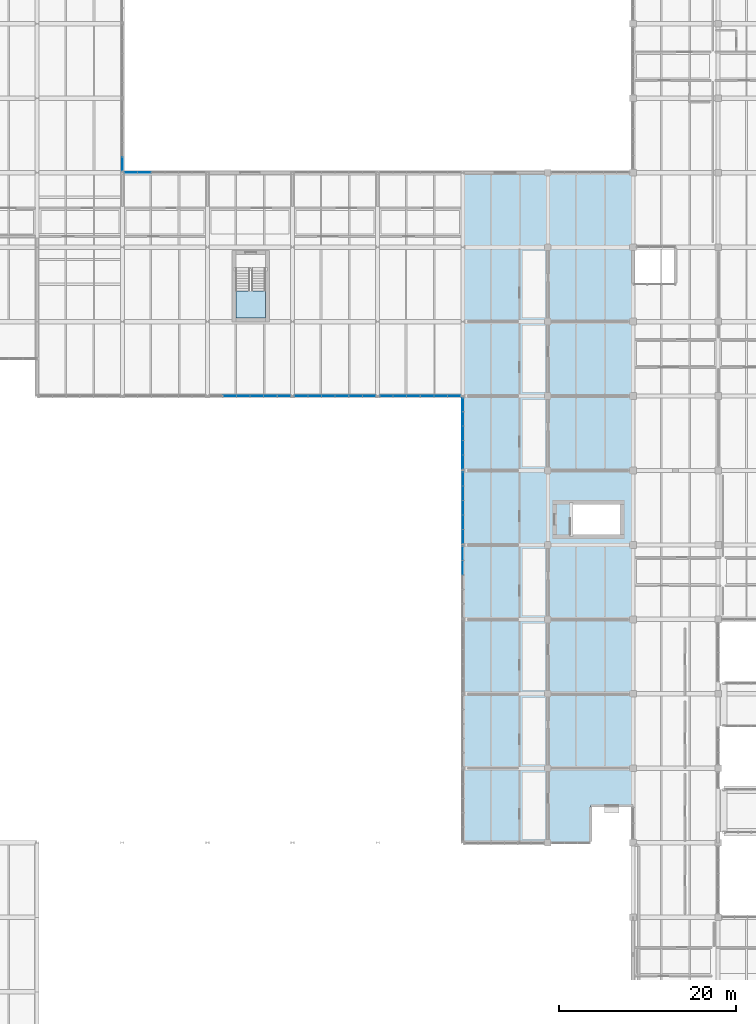
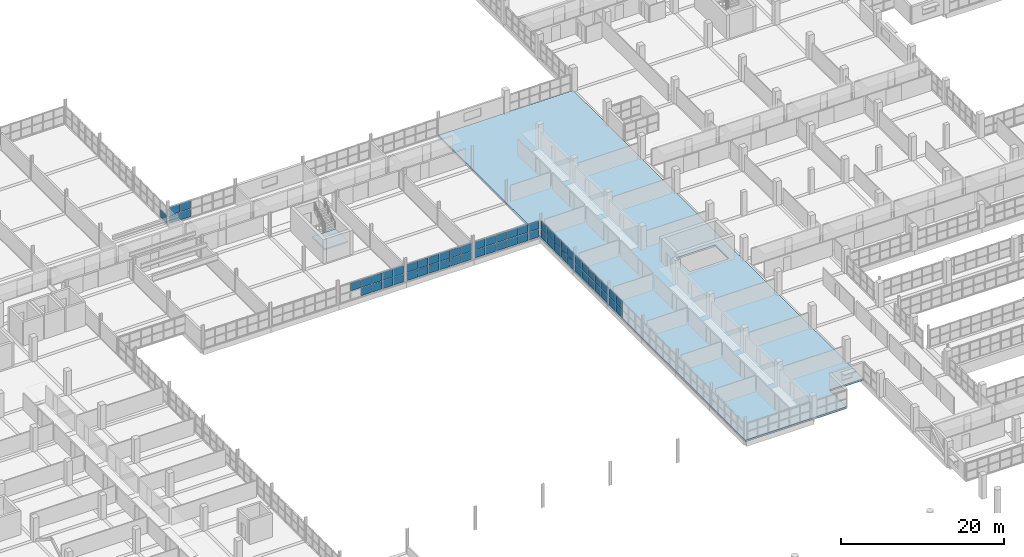
# One storey, part 96 of 147: 62 plates, 2 slabs, 9 elements without a shape of their own.
"""IFC4 building model written with IfcOpenShell, lengths in metres."""

from ifc_helpers import new_model, si_unit, direction, frame, origin, origin_2d, place, context, subcontext, project, spatial, polyline, rectangle, outline, extrude, material, layer, layer_set, type_object, element, aggregate, save


model = new_model("IFC4")

# Units and contexts
model_context = context("Model", 3, precision=1e-05, world=origin(), true_north=direction((0.0, 1.0)))
body_context = subcontext(model_context, "Body", "Model", "MODEL_VIEW")
ifc_project = project(units=[si_unit("LENGTHUNIT", "METRE"), si_unit("AREAUNIT", "SQUARE_METRE"), si_unit("VOLUMEUNIT", "CUBIC_METRE"), si_unit("PLANEANGLEUNIT", "RADIAN"), si_unit("MASSUNIT", "GRAM", prefix="KILO")], contexts=[model_context])

# Site, building, storey
site_placement = place(None, origin())
site = spatial("IfcSite", under=ifc_project, at=site_placement, CompositionType="ELEMENT")
building_placement = place(site_placement, origin())
building = spatial("IfcBuilding", under=site, at=building_placement, Name="Oolite Switchyard Hospital", CompositionType="ELEMENT")
storey_placement = place(building_placement, frame((0.0, 0.0, 9.89990234375)))
storey = spatial("IfcBuildingStorey", under=building, at=storey_placement, Name="L02", CompositionType="ELEMENT", Elevation=9.89990234375)

# Curtain wall, plates
ifc_material_1 = material(Name="Thermally broken aluminum frame with laminated impact glazing", Category="aluminium")
curtain_wall_type_1 = type_object("IfcCurtainWallType", Name="CW-UNIT-84X36", PredefinedType="USERDEFINED", material=ifc_material_1)
curtain_wall_1_placement = place(storey_placement, origin())
curtain_wall_1 = element("IfcCurtainWall", 1, at=curtain_wall_1_placement, inside=storey, type_object=curtain_wall_type_1, Name="L02 Unitised Curtain Wall 295", ObjectType="UNITISED", PredefinedType="USERDEFINED")
ifc_material_2 = material(Name="Insulated fluoropolymer-coated aluminum spandrel panel", Category="aluminium")
ifc_layer_1 = layer(ifc_material_2, 0.054931640625)
ifc_layer_set_1 = layer_set([ifc_layer_1], Name="CW-PNL-SPN55")
plate_type_1 = type_object("IfcPlateType", Name="CW-PNL-SPN55", PredefinedType="CURTAIN_PANEL", material=ifc_layer_set_1)
plate_1_placement = place(storey_placement, frame((115.199951171875, 68.168701171875, 0.0751953125), z_axis=(0.0, 0.0, 1.0), x_axis=(0.0, 1.0, 0.0)))
plate_1 = element("IfcPlate", 2, at=plate_1_placement, type_object=plate_type_1, Name="CW-08 panel 1.1", PredefinedType="CURTAIN_PANEL", context=body_context, shape_type="SweptSolid", body=[
    extrude(rectangle(XDim=1.533203125, YDim=0.054931640625, at=origin_2d()), origin(), (0.0, 0.0, 1.0), 1.172607421875),
])
plate_2_placement = place(storey_placement, frame((115.199951171875, 68.168701171875, 1.32275390625), z_axis=(0.0, 0.0, 1.0), x_axis=(0.0, 1.0, 0.0)))
plate_2 = element("IfcPlate", 3, at=plate_2_placement, type_object=plate_type_1, Name="CW-08 panel 1.2", PredefinedType="CURTAIN_PANEL", context=body_context, shape_type="SweptSolid", body=[
    extrude(rectangle(XDim=1.533203125, YDim=0.054931640625, at=origin_2d()), origin(), (0.0, 0.0, 1.0), 1.172607421875),
])
plate_3_placement = place(storey_placement, frame((115.199951171875, 69.77685546875, 0.0751953125), z_axis=(0.0, 0.0, 1.0), x_axis=(0.0, 1.0, 0.0)))
plate_3 = element("IfcPlate", 4, at=plate_3_placement, type_object=plate_type_1, Name="CW-08 panel 2.1", PredefinedType="CURTAIN_PANEL", context=body_context, shape_type="SweptSolid", body=[
    extrude(rectangle(XDim=1.563232421875, YDim=0.054931640625, at=origin_2d()), origin(), (0.0, 0.0, 1.0), 1.172607421875),
])
plate_4_placement = place(storey_placement, frame((115.199951171875, 69.77685546875, 1.32275390625), z_axis=(0.0, 0.0, 1.0), x_axis=(0.0, 1.0, 0.0)))
plate_4 = element("IfcPlate", 5, at=plate_4_placement, type_object=plate_type_1, Name="CW-08 panel 2.2", PredefinedType="CURTAIN_PANEL", context=body_context, shape_type="SweptSolid", body=[
    extrude(rectangle(XDim=1.563232421875, YDim=0.054931640625, at=origin_2d()), origin(), (0.0, 0.0, 1.0), 1.172607421875),
])
plate_5_placement = place(storey_placement, frame((115.199951171875, 71.39990234375, 0.0751953125), z_axis=(0.0, 0.0, 1.0), x_axis=(0.0, 1.0, 0.0)))
plate_5 = element("IfcPlate", 6, at=plate_5_placement, type_object=plate_type_1, Name="CW-08 panel 3.1", PredefinedType="CURTAIN_PANEL", context=body_context, shape_type="SweptSolid", body=[
    extrude(rectangle(XDim=1.563232421875, YDim=0.054931640625, at=origin_2d()), origin(), (0.0, 0.0, 1.0), 1.172607421875),
])
plate_6_placement = place(storey_placement, frame((115.199951171875, 71.39990234375, 1.32275390625), z_axis=(0.0, 0.0, 1.0), x_axis=(0.0, 1.0, 0.0)))
plate_6 = element("IfcPlate", 7, at=plate_6_placement, type_object=plate_type_1, Name="CW-08 panel 3.2", PredefinedType="CURTAIN_PANEL", context=body_context, shape_type="SweptSolid", body=[
    extrude(rectangle(XDim=1.563232421875, YDim=0.054931640625, at=origin_2d()), origin(), (0.0, 0.0, 1.0), 1.172607421875),
])
plate_7_placement = place(storey_placement, frame((115.199951171875, 73.023193359375, 0.0751953125), z_axis=(0.0, 0.0, 1.0), x_axis=(0.0, 1.0, 0.0)))
plate_7 = element("IfcPlate", 8, at=plate_7_placement, type_object=plate_type_1, Name="CW-08 panel 4.1", PredefinedType="CURTAIN_PANEL", context=body_context, shape_type="SweptSolid", body=[
    extrude(rectangle(XDim=1.563232421875, YDim=0.054931640625, at=origin_2d()), origin(), (0.0, 0.0, 1.0), 1.172607421875),
])
plate_8_placement = place(storey_placement, frame((115.199951171875, 73.023193359375, 1.32275390625), z_axis=(0.0, 0.0, 1.0), x_axis=(0.0, 1.0, 0.0)))
plate_8 = element("IfcPlate", 9, at=plate_8_placement, type_object=plate_type_1, Name="CW-08 panel 4.2", PredefinedType="CURTAIN_PANEL", context=body_context, shape_type="SweptSolid", body=[
    extrude(rectangle(XDim=1.563232421875, YDim=0.054931640625, at=origin_2d()), origin(), (0.0, 0.0, 1.0), 1.172607421875),
])
plate_9_placement = place(storey_placement, frame((115.199951171875, 74.63134765625, 0.0751953125), z_axis=(0.0, 0.0, 1.0), x_axis=(0.0, 1.0, 0.0)))
plate_9 = element("IfcPlate", 10, at=plate_9_placement, type_object=plate_type_1, Name="CW-08 panel 5.1", PredefinedType="CURTAIN_PANEL", context=body_context, shape_type="SweptSolid", body=[
    extrude(rectangle(XDim=1.533203125, YDim=0.054931640625, at=origin_2d()), origin(), (0.0, 0.0, 1.0), 1.172607421875),
])
plate_10_placement = place(storey_placement, frame((115.199951171875, 74.63134765625, 1.32275390625), z_axis=(0.0, 0.0, 1.0), x_axis=(0.0, 1.0, 0.0)))
plate_10 = element("IfcPlate", 11, at=plate_10_placement, type_object=plate_type_1, Name="CW-08 panel 5.2", PredefinedType="CURTAIN_PANEL", context=body_context, shape_type="SweptSolid", body=[
    extrude(rectangle(XDim=1.533203125, YDim=0.054931640625, at=origin_2d()), origin(), (0.0, 0.0, 1.0), 1.172607421875),
])
aggregate(curtain_wall_1, [plate_1, plate_2, plate_3, plate_4, plate_5, plate_6, plate_7, plate_8, plate_9, plate_10])

curtain_wall_2_placement = place(storey_placement, origin())
curtain_wall_2 = element("IfcCurtainWall", 12, at=curtain_wall_2_placement, inside=storey, type_object=curtain_wall_type_1, Name="L02 Unitised Curtain Wall 296", ObjectType="UNITISED", PredefinedType="USERDEFINED")
ifc_layer_2 = layer(ifc_material_2, 0.070068359375)
ifc_layer_set_2 = layer_set([ifc_layer_2], Name="CW-PNL-SPN70")
plate_type_2 = type_object("IfcPlateType", Name="CW-PNL-SPN70", PredefinedType="CURTAIN_PANEL", material=ifc_layer_set_2)
plate_11_placement = place(storey_placement, frame((115.199951171875, 76.5693359375, 0.06005859375), z_axis=(0.0, 0.0, 1.0), x_axis=(0.0, 1.0, 0.0)))
plate_11 = element("IfcPlate", 13, at=plate_11_placement, type_object=plate_type_2, Name="CW-08 panel 1.1", PredefinedType="CURTAIN_PANEL", context=body_context, shape_type="SweptSolid", body=[
    extrude(rectangle(XDim=1.5146484375, YDim=0.070068359375, at=origin_2d()), origin(), (0.0, 0.0, 1.0), 1.195068359375),
])
plate_12_placement = place(storey_placement, frame((115.199951171875, 76.5693359375, 1.31494140625), z_axis=(0.0, 0.0, 1.0), x_axis=(0.0, 1.0, 0.0)))
plate_12 = element("IfcPlate", 14, at=plate_12_placement, type_object=plate_type_2, Name="CW-08 panel 1.2", PredefinedType="CURTAIN_PANEL", context=body_context, shape_type="SweptSolid", body=[
    extrude(rectangle(XDim=1.5146484375, YDim=0.070068359375, at=origin_2d()), origin(), (0.0, 0.0, 1.0), 1.195068359375),
])
plate_13_placement = place(storey_placement, frame((115.199951171875, 78.17138671875, 0.06005859375), z_axis=(0.0, 0.0, 1.0), x_axis=(0.0, 1.0, 0.0)))
plate_13 = element("IfcPlate", 15, at=plate_13_placement, type_object=plate_type_2, Name="CW-08 panel 2.1", PredefinedType="CURTAIN_PANEL", context=body_context, shape_type="SweptSolid", body=[
    extrude(rectangle(XDim=1.549560546875, YDim=0.070068359375, at=origin_2d()), origin(), (0.0, 0.0, 1.0), 1.195068359375),
])
plate_14_placement = place(storey_placement, frame((115.199951171875, 78.17138671875, 1.31494140625), z_axis=(0.0, 0.0, 1.0), x_axis=(0.0, 1.0, 0.0)))
plate_14 = element("IfcPlate", 16, at=plate_14_placement, type_object=plate_type_2, Name="CW-08 panel 2.2", PredefinedType="CURTAIN_PANEL", context=body_context, shape_type="SweptSolid", body=[
    extrude(rectangle(XDim=1.549560546875, YDim=0.070068359375, at=origin_2d()), origin(), (0.0, 0.0, 1.0), 1.195068359375),
])
plate_15_placement = place(storey_placement, frame((115.199951171875, 79.791015625, 0.06005859375), z_axis=(0.0, 0.0, 1.0), x_axis=(0.0, 1.0, 0.0)))
plate_15 = element("IfcPlate", 17, at=plate_15_placement, type_object=plate_type_2, Name="CW-08 panel 3.1", PredefinedType="CURTAIN_PANEL", context=body_context, shape_type="SweptSolid", body=[
    extrude(rectangle(XDim=1.549560546875, YDim=0.070068359375, at=origin_2d()), origin(), (0.0, 0.0, 1.0), 1.195068359375),
])
plate_16_placement = place(storey_placement, frame((115.199951171875, 79.791015625, 1.31494140625), z_axis=(0.0, 0.0, 1.0), x_axis=(0.0, 1.0, 0.0)))
plate_16 = element("IfcPlate", 18, at=plate_16_placement, type_object=plate_type_2, Name="CW-08 panel 3.2", PredefinedType="CURTAIN_PANEL", context=body_context, shape_type="SweptSolid", body=[
    extrude(rectangle(XDim=1.549560546875, YDim=0.070068359375, at=origin_2d()), origin(), (0.0, 0.0, 1.0), 1.195068359375),
])
plate_17_placement = place(storey_placement, frame((115.199951171875, 81.41064453125, 0.06005859375), z_axis=(0.0, 0.0, 1.0), x_axis=(0.0, 1.0, 0.0)))
plate_17 = element("IfcPlate", 19, at=plate_17_placement, type_object=plate_type_2, Name="CW-08 panel 4.1", PredefinedType="CURTAIN_PANEL", context=body_context, shape_type="SweptSolid", body=[
    extrude(rectangle(XDim=1.549560546875, YDim=0.070068359375, at=origin_2d()), origin(), (0.0, 0.0, 1.0), 1.195068359375),
])
plate_18_placement = place(storey_placement, frame((115.199951171875, 81.41064453125, 1.31494140625), z_axis=(0.0, 0.0, 1.0), x_axis=(0.0, 1.0, 0.0)))
plate_18 = element("IfcPlate", 20, at=plate_18_placement, type_object=plate_type_2, Name="CW-08 panel 4.2", PredefinedType="CURTAIN_PANEL", context=body_context, shape_type="SweptSolid", body=[
    extrude(rectangle(XDim=1.549560546875, YDim=0.070068359375, at=origin_2d()), origin(), (0.0, 0.0, 1.0), 1.195068359375),
])
plate_19_placement = place(storey_placement, frame((115.199951171875, 83.0126953125, 0.06005859375), z_axis=(0.0, 0.0, 1.0), x_axis=(0.0, 1.0, 0.0)))
plate_19 = element("IfcPlate", 21, at=plate_19_placement, type_object=plate_type_2, Name="CW-08 panel 5.1", PredefinedType="CURTAIN_PANEL", context=body_context, shape_type="SweptSolid", body=[
    extrude(rectangle(XDim=1.5146484375, YDim=0.070068359375, at=origin_2d()), origin(), (0.0, 0.0, 1.0), 1.195068359375),
])
plate_20_placement = place(storey_placement, frame((115.199951171875, 83.0126953125, 1.31494140625), z_axis=(0.0, 0.0, 1.0), x_axis=(0.0, 1.0, 0.0)))
plate_20 = element("IfcPlate", 22, at=plate_20_placement, type_object=plate_type_2, Name="CW-08 panel 5.2", PredefinedType="CURTAIN_PANEL", context=body_context, shape_type="SweptSolid", body=[
    extrude(rectangle(XDim=1.5146484375, YDim=0.070068359375, at=origin_2d()), origin(), (0.0, 0.0, 1.0), 1.195068359375),
])
aggregate(curtain_wall_2, [plate_11, plate_12, plate_13, plate_14, plate_15, plate_16, plate_17, plate_18, plate_19, plate_20])

curtain_wall_type_2 = type_object("IfcCurtainWallType", Name="CW-UNIT-96X36", PredefinedType="USERDEFINED", material=ifc_material_1)
curtain_wall_3_placement = place(storey_placement, origin())
curtain_wall_3 = element("IfcCurtainWall", 23, at=curtain_wall_3_placement, inside=storey, type_object=curtain_wall_type_2, Name="L02 Unitised Curtain Wall 254", ObjectType="UNITISED", PredefinedType="USERDEFINED")
ifc_material_3 = material(Name="Laminated hurricane-impact insulated glazing unit", Category="glass")
ifc_layer_3 = layer(ifc_material_3, 0.028076171875)
ifc_layer_set_3 = layer_set([ifc_layer_3], Name="CW-PNL-VIS28")
plate_type_3 = type_object("IfcPlateType", Name="CW-PNL-VIS28", PredefinedType="CURTAIN_PANEL", material=ifc_layer_set_3)
plate_21_placement = place(storey_placement, frame((95.021728515625, 84.0, 0.06005859375), z_axis=(0.0, 0.0, 1.0), x_axis=(-1.0, 0.0, 0.0)))
plate_21 = element("IfcPlate", 24, at=plate_21_placement, type_object=plate_type_3, Name="CW-03 panel 1.1", PredefinedType="CURTAIN_PANEL", context=body_context, shape_type="SweptSolid", body=[
    extrude(rectangle(XDim=1.4306640625, YDim=0.028076171875, at=origin_2d()), origin(), (0.0, 0.0, 1.0), 1.195068359375),
])
plate_22_placement = place(storey_placement, frame((95.021728515625, 84.0, 1.31494140625), z_axis=(0.0, 0.0, 1.0), x_axis=(-1.0, 0.0, 0.0)))
plate_22 = element("IfcPlate", 25, at=plate_22_placement, type_object=plate_type_3, Name="CW-03 panel 1.2", PredefinedType="CURTAIN_PANEL", context=body_context, shape_type="SweptSolid", body=[
    extrude(rectangle(XDim=1.4306640625, YDim=0.028076171875, at=origin_2d()), origin(), (0.0, 0.0, 1.0), 1.195068359375),
])
plate_23_placement = place(storey_placement, frame((93.50341796875, 84.0, 0.06005859375), z_axis=(0.0, 0.0, 1.0), x_axis=(-1.0, 0.0, 0.0)))
plate_23 = element("IfcPlate", 26, at=plate_23_placement, type_object=plate_type_3, Name="CW-03 panel 2.1", PredefinedType="CURTAIN_PANEL", context=body_context, shape_type="SweptSolid", body=[
    extrude(rectangle(XDim=1.465576171875, YDim=0.028076171875, at=origin_2d()), origin(), (0.0, 0.0, 1.0), 1.195068359375),
])
plate_24_placement = place(storey_placement, frame((93.50341796875, 84.0, 1.31494140625), z_axis=(0.0, 0.0, 1.0), x_axis=(-1.0, 0.0, 0.0)))
plate_24 = element("IfcPlate", 27, at=plate_24_placement, type_object=plate_type_3, Name="CW-03 panel 2.2", PredefinedType="CURTAIN_PANEL", context=body_context, shape_type="SweptSolid", body=[
    extrude(rectangle(XDim=1.465576171875, YDim=0.028076171875, at=origin_2d()), origin(), (0.0, 0.0, 1.0), 1.195068359375),
])
plate_25_placement = place(storey_placement, frame((91.9677734375, 84.0, 0.06005859375), z_axis=(0.0, 0.0, 1.0), x_axis=(-1.0, 0.0, 0.0)))
plate_25 = element("IfcPlate", 28, at=plate_25_placement, type_object=plate_type_3, Name="CW-03 panel 3.1", PredefinedType="CURTAIN_PANEL", context=body_context, shape_type="SweptSolid", body=[
    extrude(rectangle(XDim=1.465576171875, YDim=0.028076171875, at=origin_2d()), origin(), (0.0, 0.0, 1.0), 1.195068359375),
])
plate_26_placement = place(storey_placement, frame((91.9677734375, 84.0, 1.31494140625), z_axis=(0.0, 0.0, 1.0), x_axis=(-1.0, 0.0, 0.0)))
plate_26 = element("IfcPlate", 29, at=plate_26_placement, type_object=plate_type_3, Name="CW-03 panel 3.2", PredefinedType="CURTAIN_PANEL", context=body_context, shape_type="SweptSolid", body=[
    extrude(rectangle(XDim=1.465576171875, YDim=0.028076171875, at=origin_2d()), origin(), (0.0, 0.0, 1.0), 1.195068359375),
])
plate_27_placement = place(storey_placement, frame((90.43212890625, 84.0, 0.06005859375), z_axis=(0.0, 0.0, 1.0), x_axis=(-1.0, 0.0, 0.0)))
plate_27 = element("IfcPlate", 30, at=plate_27_placement, type_object=plate_type_3, Name="CW-03 panel 4.1", PredefinedType="CURTAIN_PANEL", context=body_context, shape_type="SweptSolid", body=[
    extrude(rectangle(XDim=1.465576171875, YDim=0.028076171875, at=origin_2d()), origin(), (0.0, 0.0, 1.0), 1.195068359375),
])
plate_28_placement = place(storey_placement, frame((90.43212890625, 84.0, 1.31494140625), z_axis=(0.0, 0.0, 1.0), x_axis=(-1.0, 0.0, 0.0)))
plate_28 = element("IfcPlate", 31, at=plate_28_placement, type_object=plate_type_3, Name="CW-03 panel 4.2", PredefinedType="CURTAIN_PANEL", context=body_context, shape_type="SweptSolid", body=[
    extrude(rectangle(XDim=1.465576171875, YDim=0.028076171875, at=origin_2d()), origin(), (0.0, 0.0, 1.0), 1.195068359375),
])
plate_29_placement = place(storey_placement, frame((88.896484375, 84.0, 1.31494140625), z_axis=(0.0, 0.0, 1.0), x_axis=(-1.0, 0.0, 0.0)))
plate_29 = element("IfcPlate", 32, at=plate_29_placement, type_object=plate_type_3, Name="CW-03 panel 5.2", PredefinedType="CURTAIN_PANEL", context=body_context, shape_type="SweptSolid", body=[
    extrude(rectangle(XDim=1.465576171875, YDim=0.028076171875, at=origin_2d()), origin(), (0.0, 0.0, 1.0), 1.195068359375),
])
aggregate(curtain_wall_3, [plate_21, plate_22, plate_23, plate_24, plate_25, plate_26, plate_27, plate_28, plate_29])

curtain_wall_4_placement = place(storey_placement, origin())
curtain_wall_4 = element("IfcCurtainWall", 33, at=curtain_wall_4_placement, inside=storey, type_object=curtain_wall_type_2, Name="L02 Unitised Curtain Wall 263", ObjectType="UNITISED", PredefinedType="USERDEFINED")
ifc_layer_4 = layer(ifc_material_3, 0.031982421875)
ifc_layer_set_4 = layer_set([ifc_layer_4], Name="CW-PNL-VIS32")
plate_type_4 = type_object("IfcPlateType", Name="CW-PNL-VIS32", PredefinedType="CURTAIN_PANEL", material=ifc_layer_set_4)
plate_30_placement = place(storey_placement, frame((77.7783203125, 109.199951171875, 0.0751953125), z_axis=(0.0, 0.0, 1.0), x_axis=(1.0, 0.0, 0.0)))
plate_30 = element("IfcPlate", 34, at=plate_30_placement, type_object=plate_type_4, Name="CW-03 panel 1.1", PredefinedType="CURTAIN_PANEL", context=body_context, shape_type="SweptSolid", body=[
    extrude(rectangle(XDim=1.4306640625, YDim=0.031982421875, at=origin_2d()), origin(), (0.0, 0.0, 1.0), 1.172607421875),
])
plate_31_placement = place(storey_placement, frame((77.7783203125, 109.199951171875, 1.32275390625), z_axis=(0.0, 0.0, 1.0), x_axis=(1.0, 0.0, 0.0)))
plate_31 = element("IfcPlate", 35, at=plate_31_placement, type_object=plate_type_4, Name="CW-03 panel 1.2", PredefinedType="CURTAIN_PANEL", context=body_context, shape_type="SweptSolid", body=[
    extrude(rectangle(XDim=1.4306640625, YDim=0.031982421875, at=origin_2d()), origin(), (0.0, 0.0, 1.0), 1.172607421875),
])
plate_32_placement = place(storey_placement, frame((79.29638671875, 109.199951171875, 0.0751953125), z_axis=(0.0, 0.0, 1.0), x_axis=(1.0, 0.0, 0.0)))
plate_32 = element("IfcPlate", 36, at=plate_32_placement, type_object=plate_type_4, Name="CW-03 panel 2.1", PredefinedType="CURTAIN_PANEL", context=body_context, shape_type="SweptSolid", body=[
    extrude(rectangle(XDim=1.465576171875, YDim=0.031982421875, at=origin_2d()), origin(), (0.0, 0.0, 1.0), 1.172607421875),
])
plate_33_placement = place(storey_placement, frame((79.29638671875, 109.199951171875, 1.32275390625), z_axis=(0.0, 0.0, 1.0), x_axis=(1.0, 0.0, 0.0)))
plate_33 = element("IfcPlate", 37, at=plate_33_placement, type_object=plate_type_4, Name="CW-03 panel 2.2", PredefinedType="CURTAIN_PANEL", context=body_context, shape_type="SweptSolid", body=[
    extrude(rectangle(XDim=1.465576171875, YDim=0.031982421875, at=origin_2d()), origin(), (0.0, 0.0, 1.0), 1.172607421875),
])
aggregate(curtain_wall_4, [plate_30, plate_31, plate_32, plate_33])

curtain_wall_5_placement = place(storey_placement, origin())
curtain_wall_5 = element("IfcCurtainWall", 38, at=curtain_wall_5_placement, inside=storey, type_object=curtain_wall_type_2, Name="L02 Unitised Curtain Wall 255", ObjectType="UNITISED", PredefinedType="USERDEFINED")
ifc_layer_5 = layer(ifc_material_3, 0.035888671875)
ifc_layer_set_5 = layer_set([ifc_layer_5], Name="CW-PNL-VIS36")
plate_type_5 = type_object("IfcPlateType", Name="CW-PNL-VIS36", PredefinedType="CURTAIN_PANEL", material=ifc_layer_set_5)
plate_34_placement = place(storey_placement, frame((114.220458984375, 84.0, 0.0751953125), z_axis=(0.0, 0.0, 1.0), x_axis=(-1.0, 0.0, 0.0)))
plate_34 = element("IfcPlate", 39, at=plate_34_placement, type_object=plate_type_5, Name="CW-03 panel 1.1", PredefinedType="CURTAIN_PANEL", context=body_context, shape_type="SweptSolid", body=[
    extrude(rectangle(XDim=1.423095703125, YDim=0.035888671875, at=origin_2d()), origin(), (0.0, 0.0, 1.0), 1.172607421875),
])
plate_35_placement = place(storey_placement, frame((114.220458984375, 84.0, 1.32275390625), z_axis=(0.0, 0.0, 1.0), x_axis=(-1.0, 0.0, 0.0)))
plate_35 = element("IfcPlate", 40, at=plate_35_placement, type_object=plate_type_5, Name="CW-03 panel 1.2", PredefinedType="CURTAIN_PANEL", context=body_context, shape_type="SweptSolid", body=[
    extrude(rectangle(XDim=1.423095703125, YDim=0.035888671875, at=origin_2d()), origin(), (0.0, 0.0, 1.0), 1.172607421875),
])
plate_36_placement = place(storey_placement, frame((112.70361328125, 84.0, 0.0751953125), z_axis=(0.0, 0.0, 1.0), x_axis=(-1.0, 0.0, 0.0)))
plate_36 = element("IfcPlate", 41, at=plate_36_placement, type_object=plate_type_5, Name="CW-03 panel 2.1", PredefinedType="CURTAIN_PANEL", context=body_context, shape_type="SweptSolid", body=[
    extrude(rectangle(XDim=1.460693359375, YDim=0.035888671875, at=origin_2d()), origin(), (0.0, 0.0, 1.0), 1.172607421875),
])
plate_37_placement = place(storey_placement, frame((112.70361328125, 84.0, 1.32275390625), z_axis=(0.0, 0.0, 1.0), x_axis=(-1.0, 0.0, 0.0)))
plate_37 = element("IfcPlate", 42, at=plate_37_placement, type_object=plate_type_5, Name="CW-03 panel 2.2", PredefinedType="CURTAIN_PANEL", context=body_context, shape_type="SweptSolid", body=[
    extrude(rectangle(XDim=1.460693359375, YDim=0.035888671875, at=origin_2d()), origin(), (0.0, 0.0, 1.0), 1.172607421875),
])
plate_38_placement = place(storey_placement, frame((111.167724609375, 84.0, 0.0751953125), z_axis=(0.0, 0.0, 1.0), x_axis=(-1.0, 0.0, 0.0)))
plate_38 = element("IfcPlate", 43, at=plate_38_placement, type_object=plate_type_5, Name="CW-03 panel 3.1", PredefinedType="CURTAIN_PANEL", context=body_context, shape_type="SweptSolid", body=[
    extrude(rectangle(XDim=1.460693359375, YDim=0.035888671875, at=origin_2d()), origin(), (0.0, 0.0, 1.0), 1.172607421875),
])
plate_39_placement = place(storey_placement, frame((111.167724609375, 84.0, 1.32275390625), z_axis=(0.0, 0.0, 1.0), x_axis=(-1.0, 0.0, 0.0)))
plate_39 = element("IfcPlate", 44, at=plate_39_placement, type_object=plate_type_5, Name="CW-03 panel 3.2", PredefinedType="CURTAIN_PANEL", context=body_context, shape_type="SweptSolid", body=[
    extrude(rectangle(XDim=1.460693359375, YDim=0.035888671875, at=origin_2d()), origin(), (0.0, 0.0, 1.0), 1.172607421875),
])
plate_40_placement = place(storey_placement, frame((109.632080078125, 84.0, 0.0751953125), z_axis=(0.0, 0.0, 1.0), x_axis=(-1.0, 0.0, 0.0)))
plate_40 = element("IfcPlate", 45, at=plate_40_placement, type_object=plate_type_5, Name="CW-03 panel 4.1", PredefinedType="CURTAIN_PANEL", context=body_context, shape_type="SweptSolid", body=[
    extrude(rectangle(XDim=1.460693359375, YDim=0.035888671875, at=origin_2d()), origin(), (0.0, 0.0, 1.0), 1.172607421875),
])
plate_41_placement = place(storey_placement, frame((109.632080078125, 84.0, 1.32275390625), z_axis=(0.0, 0.0, 1.0), x_axis=(-1.0, 0.0, 0.0)))
plate_41 = element("IfcPlate", 46, at=plate_41_placement, type_object=plate_type_5, Name="CW-03 panel 4.2", PredefinedType="CURTAIN_PANEL", context=body_context, shape_type="SweptSolid", body=[
    extrude(rectangle(XDim=1.460693359375, YDim=0.035888671875, at=origin_2d()), origin(), (0.0, 0.0, 1.0), 1.172607421875),
])
plate_42_placement = place(storey_placement, frame((108.096435546875, 84.0, 0.0751953125), z_axis=(0.0, 0.0, 1.0), x_axis=(-1.0, 0.0, 0.0)))
plate_42 = element("IfcPlate", 47, at=plate_42_placement, type_object=plate_type_5, Name="CW-03 panel 5.1", PredefinedType="CURTAIN_PANEL", context=body_context, shape_type="SweptSolid", body=[
    extrude(rectangle(XDim=1.460693359375, YDim=0.035888671875, at=origin_2d()), origin(), (0.0, 0.0, 1.0), 1.172607421875),
])
plate_43_placement = place(storey_placement, frame((108.096435546875, 84.0, 1.32275390625), z_axis=(0.0, 0.0, 1.0), x_axis=(-1.0, 0.0, 0.0)))
plate_43 = element("IfcPlate", 48, at=plate_43_placement, type_object=plate_type_5, Name="CW-03 panel 5.2", PredefinedType="CURTAIN_PANEL", context=body_context, shape_type="SweptSolid", body=[
    extrude(rectangle(XDim=1.460693359375, YDim=0.035888671875, at=origin_2d()), origin(), (0.0, 0.0, 1.0), 1.172607421875),
])
plate_44_placement = place(storey_placement, frame((106.57958984375, 84.0, 0.0751953125), z_axis=(0.0, 0.0, 1.0), x_axis=(-1.0, 0.0, 0.0)))
plate_44 = element("IfcPlate", 49, at=plate_44_placement, type_object=plate_type_5, Name="CW-03 panel 6.1", PredefinedType="CURTAIN_PANEL", context=body_context, shape_type="SweptSolid", body=[
    extrude(rectangle(XDim=1.423095703125, YDim=0.035888671875, at=origin_2d()), origin(), (0.0, 0.0, 1.0), 1.172607421875),
])
plate_45_placement = place(storey_placement, frame((106.57958984375, 84.0, 1.32275390625), z_axis=(0.0, 0.0, 1.0), x_axis=(-1.0, 0.0, 0.0)))
plate_45 = element("IfcPlate", 50, at=plate_45_placement, type_object=plate_type_5, Name="CW-03 panel 6.2", PredefinedType="CURTAIN_PANEL", context=body_context, shape_type="SweptSolid", body=[
    extrude(rectangle(XDim=1.423095703125, YDim=0.035888671875, at=origin_2d()), origin(), (0.0, 0.0, 1.0), 1.172607421875),
])
aggregate(curtain_wall_5, [plate_34, plate_35, plate_36, plate_37, plate_38, plate_39, plate_40, plate_41, plate_42, plate_43, plate_44, plate_45])

curtain_wall_6_placement = place(storey_placement, origin())
curtain_wall_6 = element("IfcCurtainWall", 51, at=curtain_wall_6_placement, inside=storey, type_object=curtain_wall_type_1, Name="L02 Unitised Curtain Wall 294", ObjectType="UNITISED", PredefinedType="USERDEFINED")
plate_46_placement = place(storey_placement, frame((115.199951171875, 64.623291015625, 0.06005859375), z_axis=(0.0, 0.0, 1.0), x_axis=(0.0, 1.0, 0.0)))
plate_46 = element("IfcPlate", 52, at=plate_46_placement, type_object=plate_type_5, Name="CW-08 panel 4.1", PredefinedType="CURTAIN_PANEL", context=body_context, shape_type="SweptSolid", body=[
    extrude(rectangle(XDim=1.548095703125, YDim=0.035888671875, at=origin_2d()), origin(), (0.0, 0.0, 1.0), 1.195068359375),
])
plate_47_placement = place(storey_placement, frame((115.199951171875, 64.623291015625, 1.31494140625), z_axis=(0.0, 0.0, 1.0), x_axis=(0.0, 1.0, 0.0)))
plate_47 = element("IfcPlate", 53, at=plate_47_placement, type_object=plate_type_5, Name="CW-08 panel 4.2", PredefinedType="CURTAIN_PANEL", context=body_context, shape_type="SweptSolid", body=[
    extrude(rectangle(XDim=1.548095703125, YDim=0.035888671875, at=origin_2d()), origin(), (0.0, 0.0, 1.0), 1.195068359375),
])
plate_48_placement = place(storey_placement, frame((115.199951171875, 66.2275390625, 0.06005859375), z_axis=(0.0, 0.0, 1.0), x_axis=(0.0, 1.0, 0.0)))
plate_48 = element("IfcPlate", 54, at=plate_48_placement, type_object=plate_type_5, Name="CW-08 panel 5.1", PredefinedType="CURTAIN_PANEL", context=body_context, shape_type="SweptSolid", body=[
    extrude(rectangle(XDim=1.5107421875, YDim=0.035888671875, at=origin_2d()), origin(), (0.0, 0.0, 1.0), 1.195068359375),
])
plate_49_placement = place(storey_placement, frame((115.199951171875, 66.2275390625, 1.31494140625), z_axis=(0.0, 0.0, 1.0), x_axis=(0.0, 1.0, 0.0)))
plate_49 = element("IfcPlate", 55, at=plate_49_placement, type_object=plate_type_5, Name="CW-08 panel 5.2", PredefinedType="CURTAIN_PANEL", context=body_context, shape_type="SweptSolid", body=[
    extrude(rectangle(XDim=1.5107421875, YDim=0.035888671875, at=origin_2d()), origin(), (0.0, 0.0, 1.0), 1.195068359375),
])
aggregate(curtain_wall_6, [plate_46, plate_47, plate_48, plate_49])

curtain_wall_7_placement = place(storey_placement, origin())
curtain_wall_7 = element("IfcCurtainWall", 56, at=curtain_wall_7_placement, inside=storey, type_object=curtain_wall_type_2, Name="L02 Unitised Curtain Wall 256", ObjectType="UNITISED", PredefinedType="USERDEFINED")
ifc_layer_6 = layer(ifc_material_3, 0.0419921875)
ifc_layer_set_6 = layer_set([ifc_layer_6], Name="CW-PNL-VIS42")
plate_type_6 = type_object("IfcPlateType", Name="CW-PNL-VIS42", PredefinedType="CURTAIN_PANEL", material=ifc_layer_set_6)
plate_50_placement = place(storey_placement, frame((104.624267578125, 84.0, 0.06005859375), z_axis=(0.0, 0.0, 1.0), x_axis=(-1.0, 0.0, 0.0)))
plate_50 = element("IfcPlate", 57, at=plate_50_placement, type_object=plate_type_6, Name="CW-03 panel 1.1", PredefinedType="CURTAIN_PANEL", context=body_context, shape_type="SweptSolid", body=[
    extrude(rectangle(XDim=1.445556640625, YDim=0.0419921875, at=origin_2d()), origin(), (0.0, 0.0, 1.0), 1.195068359375),
])
plate_51_placement = place(storey_placement, frame((104.624267578125, 84.0, 1.31494140625), z_axis=(0.0, 0.0, 1.0), x_axis=(-1.0, 0.0, 0.0)))
plate_51 = element("IfcPlate", 58, at=plate_51_placement, type_object=plate_type_6, Name="CW-03 panel 1.2", PredefinedType="CURTAIN_PANEL", context=body_context, shape_type="SweptSolid", body=[
    extrude(rectangle(XDim=1.445556640625, YDim=0.0419921875, at=origin_2d()), origin(), (0.0, 0.0, 1.0), 1.195068359375),
])
plate_52_placement = place(storey_placement, frame((103.103515625, 84.0, 0.06005859375), z_axis=(0.0, 0.0, 1.0), x_axis=(-1.0, 0.0, 0.0)))
plate_52 = element("IfcPlate", 59, at=plate_52_placement, type_object=plate_type_6, Name="CW-03 panel 2.1", PredefinedType="CURTAIN_PANEL", context=body_context, shape_type="SweptSolid", body=[
    extrude(rectangle(XDim=1.4755859375, YDim=0.0419921875, at=origin_2d()), origin(), (0.0, 0.0, 1.0), 1.195068359375),
])
plate_53_placement = place(storey_placement, frame((103.103515625, 84.0, 1.31494140625), z_axis=(0.0, 0.0, 1.0), x_axis=(-1.0, 0.0, 0.0)))
plate_53 = element("IfcPlate", 60, at=plate_53_placement, type_object=plate_type_6, Name="CW-03 panel 2.2", PredefinedType="CURTAIN_PANEL", context=body_context, shape_type="SweptSolid", body=[
    extrude(rectangle(XDim=1.4755859375, YDim=0.0419921875, at=origin_2d()), origin(), (0.0, 0.0, 1.0), 1.195068359375),
])
plate_54_placement = place(storey_placement, frame((101.56787109375, 84.0, 0.06005859375), z_axis=(0.0, 0.0, 1.0), x_axis=(-1.0, 0.0, 0.0)))
plate_54 = element("IfcPlate", 61, at=plate_54_placement, type_object=plate_type_6, Name="CW-03 panel 3.1", PredefinedType="CURTAIN_PANEL", context=body_context, shape_type="SweptSolid", body=[
    extrude(rectangle(XDim=1.4755859375, YDim=0.0419921875, at=origin_2d()), origin(), (0.0, 0.0, 1.0), 1.195068359375),
])
plate_55_placement = place(storey_placement, frame((101.56787109375, 84.0, 1.31494140625), z_axis=(0.0, 0.0, 1.0), x_axis=(-1.0, 0.0, 0.0)))
plate_55 = element("IfcPlate", 62, at=plate_55_placement, type_object=plate_type_6, Name="CW-03 panel 3.2", PredefinedType="CURTAIN_PANEL", context=body_context, shape_type="SweptSolid", body=[
    extrude(rectangle(XDim=1.4755859375, YDim=0.0419921875, at=origin_2d()), origin(), (0.0, 0.0, 1.0), 1.195068359375),
])
plate_56_placement = place(storey_placement, frame((100.0322265625, 84.0, 0.06005859375), z_axis=(0.0, 0.0, 1.0), x_axis=(-1.0, 0.0, 0.0)))
plate_56 = element("IfcPlate", 63, at=plate_56_placement, type_object=plate_type_6, Name="CW-03 panel 4.1", PredefinedType="CURTAIN_PANEL", context=body_context, shape_type="SweptSolid", body=[
    extrude(rectangle(XDim=1.4755859375, YDim=0.0419921875, at=origin_2d()), origin(), (0.0, 0.0, 1.0), 1.195068359375),
])
plate_57_placement = place(storey_placement, frame((100.0322265625, 84.0, 1.31494140625), z_axis=(0.0, 0.0, 1.0), x_axis=(-1.0, 0.0, 0.0)))
plate_57 = element("IfcPlate", 64, at=plate_57_placement, type_object=plate_type_6, Name="CW-03 panel 4.2", PredefinedType="CURTAIN_PANEL", context=body_context, shape_type="SweptSolid", body=[
    extrude(rectangle(XDim=1.4755859375, YDim=0.0419921875, at=origin_2d()), origin(), (0.0, 0.0, 1.0), 1.195068359375),
])
plate_58_placement = place(storey_placement, frame((98.49658203125, 84.0, 0.06005859375), z_axis=(0.0, 0.0, 1.0), x_axis=(-1.0, 0.0, 0.0)))
plate_58 = element("IfcPlate", 65, at=plate_58_placement, type_object=plate_type_6, Name="CW-03 panel 5.1", PredefinedType="CURTAIN_PANEL", context=body_context, shape_type="SweptSolid", body=[
    extrude(rectangle(XDim=1.4755859375, YDim=0.0419921875, at=origin_2d()), origin(), (0.0, 0.0, 1.0), 1.195068359375),
])
plate_59_placement = place(storey_placement, frame((98.49658203125, 84.0, 1.31494140625), z_axis=(0.0, 0.0, 1.0), x_axis=(-1.0, 0.0, 0.0)))
plate_59 = element("IfcPlate", 66, at=plate_59_placement, type_object=plate_type_6, Name="CW-03 panel 5.2", PredefinedType="CURTAIN_PANEL", context=body_context, shape_type="SweptSolid", body=[
    extrude(rectangle(XDim=1.4755859375, YDim=0.0419921875, at=origin_2d()), origin(), (0.0, 0.0, 1.0), 1.195068359375),
])
plate_60_placement = place(storey_placement, frame((96.975830078125, 84.0, 0.06005859375), z_axis=(0.0, 0.0, 1.0), x_axis=(-1.0, 0.0, 0.0)))
plate_60 = element("IfcPlate", 67, at=plate_60_placement, type_object=plate_type_6, Name="CW-03 panel 6.1", PredefinedType="CURTAIN_PANEL", context=body_context, shape_type="SweptSolid", body=[
    extrude(rectangle(XDim=1.445556640625, YDim=0.0419921875, at=origin_2d()), origin(), (0.0, 0.0, 1.0), 1.195068359375),
])
plate_61_placement = place(storey_placement, frame((96.975830078125, 84.0, 1.31494140625), z_axis=(0.0, 0.0, 1.0), x_axis=(-1.0, 0.0, 0.0)))
plate_61 = element("IfcPlate", 68, at=plate_61_placement, type_object=plate_type_6, Name="CW-03 panel 6.2", PredefinedType="CURTAIN_PANEL", context=body_context, shape_type="SweptSolid", body=[
    extrude(rectangle(XDim=1.445556640625, YDim=0.0419921875, at=origin_2d()), origin(), (0.0, 0.0, 1.0), 1.195068359375),
])
aggregate(curtain_wall_7, [plate_50, plate_51, plate_52, plate_53, plate_54, plate_55, plate_56, plate_57, plate_58, plate_59, plate_60, plate_61])

# Curtain wall, plate
curtain_wall_8_placement = place(storey_placement, origin())
curtain_wall_8 = element("IfcCurtainWall", 69, at=curtain_wall_8_placement, inside=storey, type_object=curtain_wall_type_1, Name="L02 Unitised Curtain Wall 290", ObjectType="UNITISED", PredefinedType="USERDEFINED")
plate_62_placement = place(storey_placement, frame((76.800048828125, 110.187255859375, 0.06005859375), z_axis=(0.0, 0.0, 1.0), x_axis=(0.0, -1.0, 0.0)))
plate_62 = element("IfcPlate", 70, at=plate_62_placement, type_object=plate_type_6, Name="CW-08 panel 5.1", PredefinedType="CURTAIN_PANEL", context=body_context, shape_type="SweptSolid", body=[
    extrude(rectangle(XDim=1.5146484375, YDim=0.0419921875, at=origin_2d()), origin(), (0.0, 0.0, 1.0), 1.195068359375),
])
aggregate(curtain_wall_8, [plate_62])

# Slab
ifc_material_4 = material(Name="Concrete C40/50", Category="concrete")
ifc_layer_7 = layer(ifc_material_4, 0.260009765625)
ifc_layer_set_7 = layer_set([ifc_layer_7], Name="SLB-INT-260")
slab_type_1 = type_object("IfcSlabType", Name="SLB-INT-260", PredefinedType="FLOOR", material=ifc_layer_set_7)
slab_1_placement = place(storey_placement, frame((0.0, 0.0, -0.260009765625)))
element("IfcSlab", 71, at=slab_1_placement, inside=storey, type_object=slab_type_1, Name="L02 V4 Slab V4E", PredefinedType="FLOOR", context=body_context, shape_type="SweptSolid", body=[
    extrude(outline(polyline([(115.199951171875, 33.60009765625), (129.60009765625, 33.60009765625), (129.60009765625, 37.800048828125), (134.39990234375, 37.800048828125), (134.39990234375, 109.199951171875), (115.199951171875, 109.199951171875), (115.199951171875, 33.60009765625)]), holes=[polyline([(127.360107421875, 68.39990234375), (132.949951171875, 68.39990234375), (132.949951171875, 71.760009765625), (127.360107421875, 71.760009765625), (127.360107421875, 68.39990234375)])]), origin(), (0.0, 0.0, 1.0), 0.260009765625),
])

# Stair, slab
stair_type = type_object("IfcStairType", Name="STR-DL-156-R20", PredefinedType="HALF_TURN_STAIR", material=ifc_material_4)
stair_placement = place(storey_placement, origin())
stair = element("IfcStair", 72, at=stair_placement, inside=storey, type_object=stair_type, Name="L02 Exit Stair ST-09", PredefinedType="HALF_TURN_STAIR")
ifc_layer_8 = layer(ifc_material_4, 0.199951171875)
ifc_layer_set_8 = layer_set([ifc_layer_8], Name="SLB-LND-200")
slab_type_2 = type_object("IfcSlabType", Name="SLB-LND-200", PredefinedType="LANDING", material=ifc_layer_set_8)
slab_2_placement = place(storey_placement, frame((0.0, 0.0, 1.60009765625)))
slab_2 = element("IfcSlab", 73, at=slab_2_placement, type_object=slab_type_2, Name="ST-09 landing 1", PredefinedType="LANDING", context=body_context, shape_type="SweptSolid", body=[
    extrude(outline(polyline([(89.60009765625, 95.8701171875), (89.60009765625, 92.800048828125), (92.9599609375, 92.800048828125), (92.9599609375, 95.8701171875), (89.60009765625, 95.8701171875)])), origin(), (0.0, 0.0, 1.0), 0.199951171875),
])
aggregate(stair, [slab_2])

save(model, "model.ifc")
